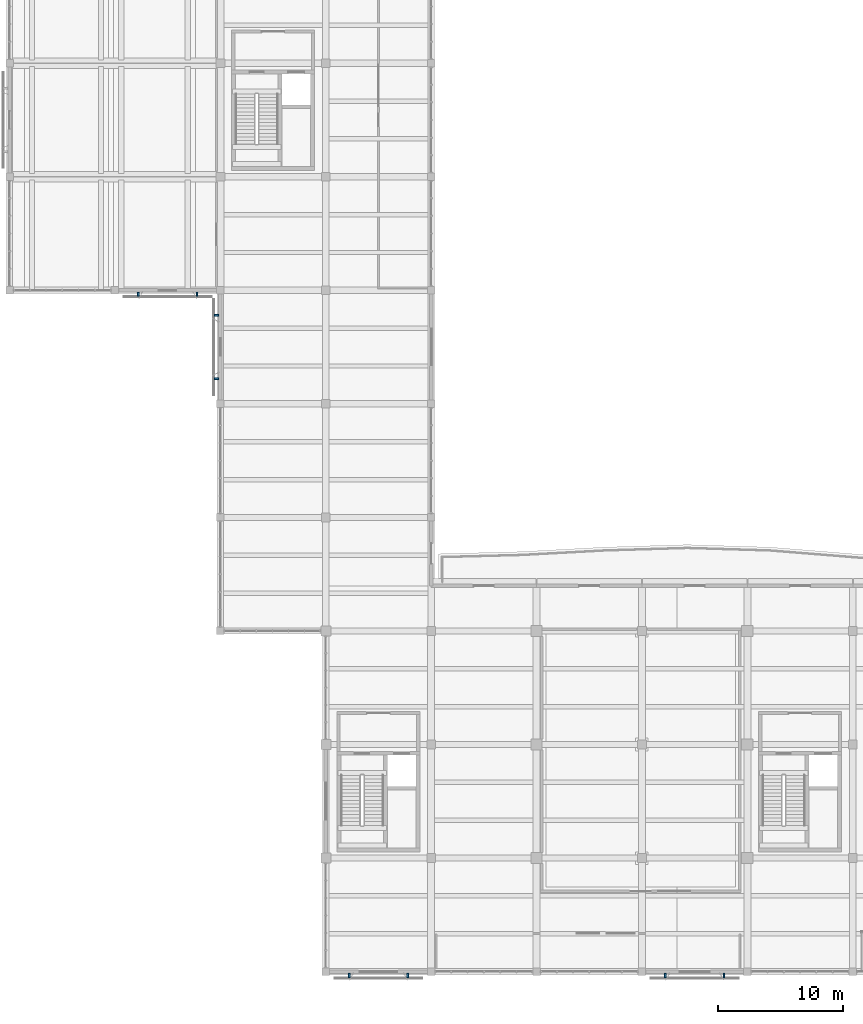
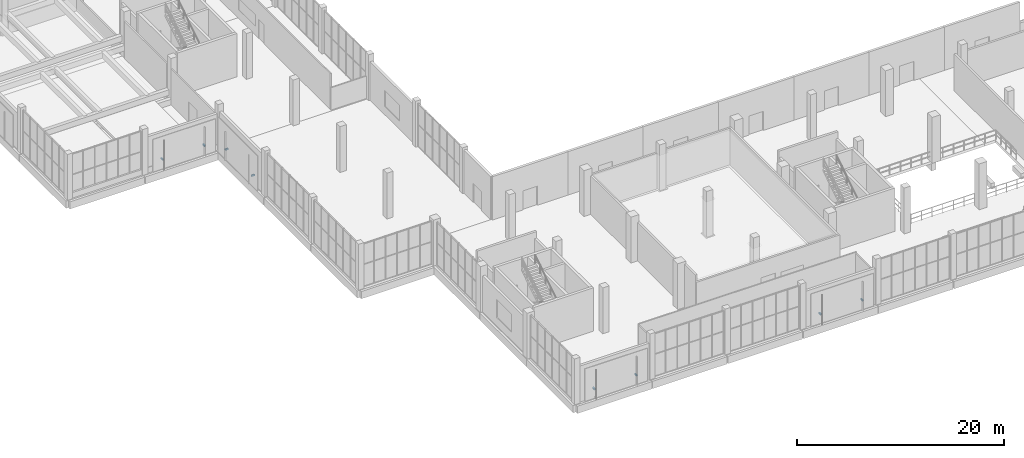
# One storey, part 120 of 132: 8 discrete accessories.
"""IFC4 building model written with IfcOpenShell, lengths in metres."""

from ifc_helpers import new_model, si_unit, direction, frame, origin, origin_2d, place, context, subcontext, project, spatial, rectangle, extrude, material, type_object, element, save


model = new_model("IFC4")

# Units and contexts
model_context = context("Model", 3, precision=1e-05, world=origin(), true_north=direction((0.0, 1.0)))
body_context = subcontext(model_context, "Body", "Model", "MODEL_VIEW")
ifc_project = project(units=[si_unit("LENGTHUNIT", "METRE"), si_unit("AREAUNIT", "SQUARE_METRE"), si_unit("VOLUMEUNIT", "CUBIC_METRE"), si_unit("PLANEANGLEUNIT", "RADIAN"), si_unit("MASSUNIT", "GRAM", prefix="KILO")], contexts=[model_context])

# Site, building, storey
site_placement = place(None, origin())
site = spatial("IfcSite", under=ifc_project, at=site_placement, CompositionType="ELEMENT")
building_placement = place(site_placement, origin())
building = spatial("IfcBuilding", under=site, at=building_placement, Name="Khurvash Pelagic Aquarium", CompositionType="ELEMENT")
storey_placement = place(building_placement, frame((0.0, 0.0, 5.39990234375)))
storey = spatial("IfcBuildingStorey", under=building, at=storey_placement, Name="L01", CompositionType="ELEMENT", Elevation=5.39990234375)

# Discrete accessories
ifc_material = material(Name="Hot-dip galvanised steel S355J2", Category="steel")
discrete_accessory_type = type_object("IfcDiscreteAccessoryType", Name="BK-01", PredefinedType="BRACKET", material=ifc_material)
for number, where, z_axis, x_axis, name in (
    (1, (27.06298828125, 2.284912109375, 1.1103515625), (0.0, 0.0, 1.0), (1.0, 0.0, 0.0), "L01 Jali Screen Support Bracket BK-01 0001"),
    (2, (31.737060546875, 2.284912109375, 1.1103515625), (0.0, 0.0, 1.0), (1.0, 0.0, 0.0), "L01 Jali Screen Support Bracket BK-01 0002"),
    (3, (52.262939453125, 2.284912109375, 1.1103515625), (0.0, 0.0, 1.0), (1.0, 0.0, 0.0), "L01 Jali Screen Support Bracket BK-01 0003"),
    (4, (56.93701171875, 2.284912109375, 1.1103515625), (0.0, 0.0, 1.0), (1.0, 0.0, 0.0), "L01 Jali Screen Support Bracket BK-01 0004"),
    (5, (10.262939453125, 56.5849609375, 1.1103515625), (0.0, 0.0, 1.0), (1.0, 0.0, 0.0), "L01 Jali Screen Support Bracket BK-01 0013"),
    (6, (14.93701171875, 56.5849609375, 1.1103515625), (0.0, 0.0, 1.0), (1.0, 0.0, 0.0), "L01 Jali Screen Support Bracket BK-01 0014"),
    (7, (16.485107421875, 54.906982421875, 1.1103515625), (0.0, 0.0, 1.0), (0.0, -1.0, 0.0), "L01 Jali Screen Support Bracket BK-01 0015"),
    (8, (16.485107421875, 49.843017578125, 1.1103515625), (0.0, 0.0, 1.0), (0.0, -1.0, 0.0), "L01 Jali Screen Support Bracket BK-01 0016"),
):
    element("IfcDiscreteAccessory", number, at=place(storey_placement, frame(where, z_axis=z_axis, x_axis=x_axis)), inside=storey, type_object=discrete_accessory_type, Name=name, PredefinedType="BRACKET", context=body_context, shape_type="SweptSolid", body=[
        extrude(rectangle(XDim=0.139892578125, YDim=0.35009765625, at=origin_2d()), origin(), (0.0, 0.0, 1.0), 0.179931640625),
    ])

save(model, "model.ifc")
